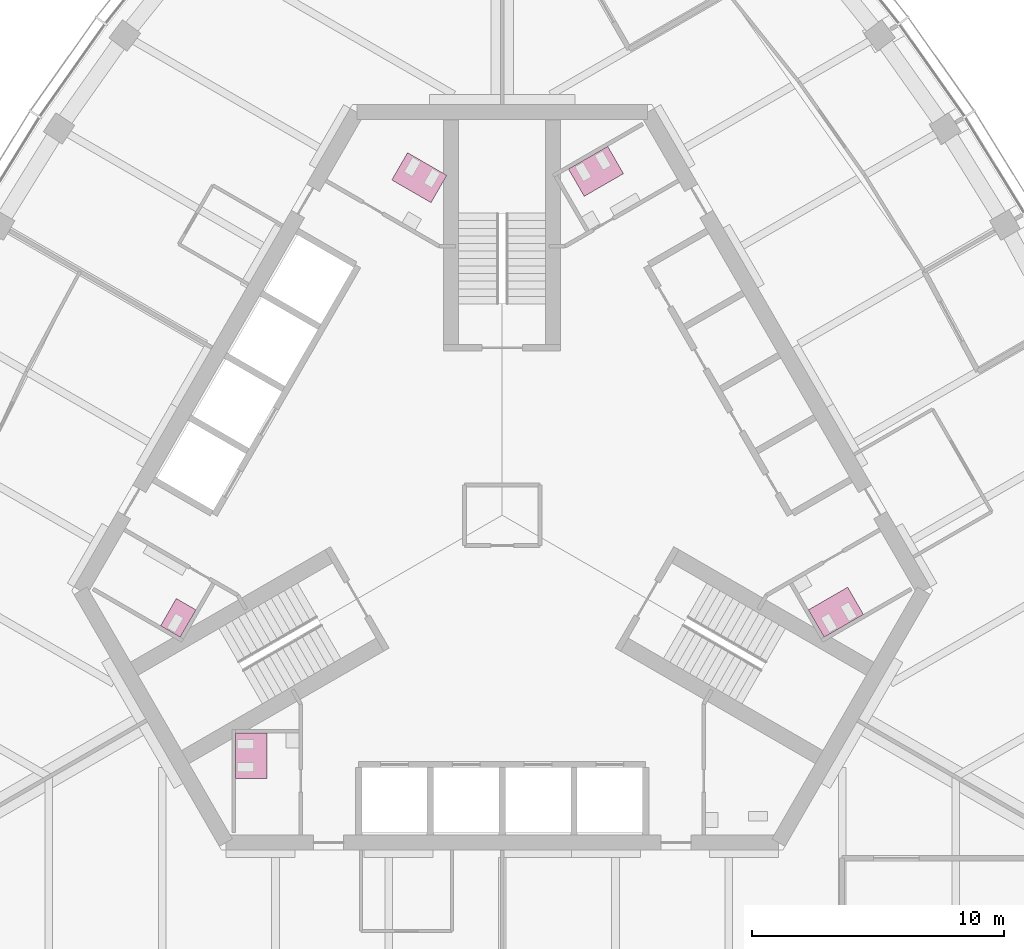
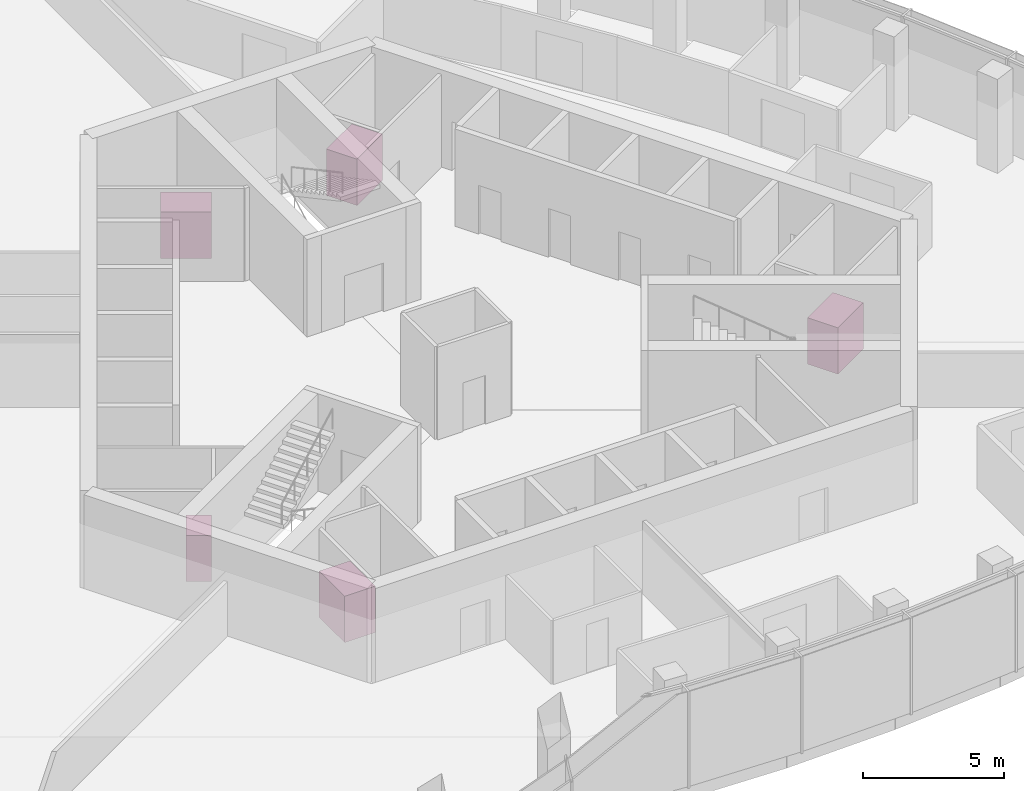
# One storey, part 16 of 16: 5 furniture elements.
"""IFC4 building model written with IfcOpenShell, lengths in metres."""

from ifc_helpers import new_model, si_unit, direction, frame, origin, place, context, subcontext, project, spatial, polyline, outline, extrude, material, type_object, element, save


model = new_model("IFC4")

# Units and contexts
model_context = context("Model", 3, precision=1e-05, world=origin(), true_north=direction((0.0, 1.0)))
body_context = subcontext(model_context, "Body", "Model", "MODEL_VIEW")
ifc_project = project(units=[si_unit("LENGTHUNIT", "METRE"), si_unit("AREAUNIT", "SQUARE_METRE"), si_unit("VOLUMEUNIT", "CUBIC_METRE"), si_unit("PLANEANGLEUNIT", "RADIAN"), si_unit("MASSUNIT", "GRAM", prefix="KILO")], contexts=[model_context])

# Site, building, storey
site_placement = place(None, origin())
site = spatial("IfcSite", under=ifc_project, at=site_placement, CompositionType="ELEMENT")
building_placement = place(site_placement, origin())
building = spatial("IfcBuilding", under=site, at=building_placement, Name="Trefoil Bronze Tower", CompositionType="ELEMENT")
storey_placement = place(building_placement, frame((0.0, 0.0, 314.10009765625)))
storey = spatial("IfcBuildingStorey", under=building, at=storey_placement, Name="L72", CompositionType="ELEMENT", Elevation=314.10009765625)

# Furniture
ifc_material_1 = material(Name="Compact laminate cubicles", Category="plastic")
furniture_type_1 = type_object("IfcFurnitureType", Name="WC cubicle range 1 cubicles", AssemblyPlace="FACTORY", PredefinedType="USERDEFINED", material=ifc_material_1)
furniture_1_placement = place(storey_placement, origin())
element("IfcFurniture", 1, at=furniture_1_placement, inside=storey, type_object=furniture_type_1, Name="WC cubicle range WC (men) L72", ObjectType="WC cubicle range", PredefinedType="USERDEFINED", context=body_context, shape_type="SweptSolid", body=[
    extrude(outline(polyline([(-12.15869140625, -3.75927734375), (-12.78369140625, -4.841796875), (-13.56298828125, -4.391845703125), (-12.93798828125, -3.309326171875), (-12.15869140625, -3.75927734375)])), origin(), (0.0, 0.0, 1.0), 2.0),
])
ifc_material_2 = material(Name="Compact laminate cubicles", Category="plastic")
furniture_type_2 = type_object("IfcFurnitureType", Name="WC cubicle range 2 cubicles", AssemblyPlace="FACTORY", PredefinedType="USERDEFINED", material=ifc_material_2)
furniture_2_placement = place(storey_placement, origin())
element("IfcFurniture", 2, at=furniture_2_placement, inside=storey, type_object=furniture_type_2, Name="WC cubicle range WC (women) L72", ObjectType="WC cubicle range", PredefinedType="USERDEFINED", context=body_context, shape_type="SweptSolid", body=[
    extrude(outline(polyline([(12.15869140625, -3.75927734375), (12.78369140625, -4.841796875), (14.342529296875, -3.94189453125), (13.717529296875, -2.859375), (12.15869140625, -3.75927734375)])), origin(), (0.0, 0.0, 1.0), 2.0),
])
furniture_3_placement = place(storey_placement, origin())
element("IfcFurniture", 3, at=furniture_3_placement, inside=storey, type_object=furniture_type_2, Name="WC cubicle range WC (men) L72", ObjectType="WC cubicle range", PredefinedType="USERDEFINED", context=body_context, shape_type="SweptSolid", body=[
    extrude(outline(polyline([(3.256591796875, 12.659423828125), (2.631591796875, 13.741943359375), (4.1904296875, 14.641845703125), (4.8154296875, 13.559326171875), (3.256591796875, 12.659423828125)])), origin(), (0.0, 0.0, 1.0), 2.0),
])
furniture_4_placement = place(storey_placement, origin())
element("IfcFurniture", 4, at=furniture_4_placement, inside=storey, type_object=furniture_type_2, Name="WC cubicle range WC (women) L72", ObjectType="WC cubicle range", PredefinedType="USERDEFINED", context=body_context, shape_type="SweptSolid", body=[
    extrude(outline(polyline([(-2.82373046875, 12.409423828125), (-2.19873046875, 13.491943359375), (-3.757568359375, 14.391845703125), (-4.382568359375, 13.309326171875), (-2.82373046875, 12.409423828125)])), origin(), (0.0, 0.0, 1.0), 2.0),
])
furniture_5_placement = place(storey_placement, origin())
element("IfcFurniture", 5, at=furniture_5_placement, inside=storey, type_object=furniture_type_2, Name="WC cubicle range WC (women) L72", ObjectType="WC cubicle range", PredefinedType="USERDEFINED", context=body_context, shape_type="SweptSolid", body=[
    extrude(outline(polyline([(-9.3349609375, -8.64990234375), (-10.5849609375, -8.64990234375), (-10.5849609375, -10.449951171875), (-9.3349609375, -10.449951171875), (-9.3349609375, -8.64990234375)])), origin(), (0.0, 0.0, 1.0), 2.0),
])

save(model, "model.ifc")
